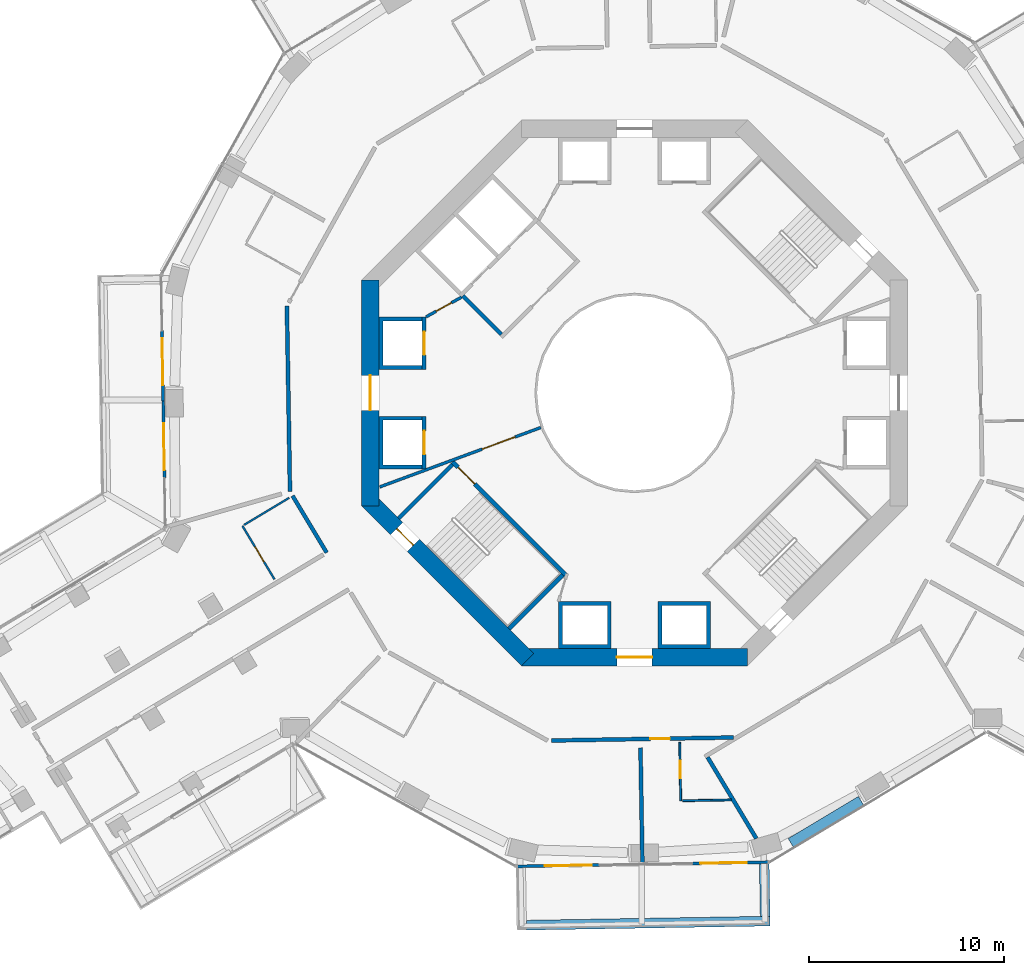
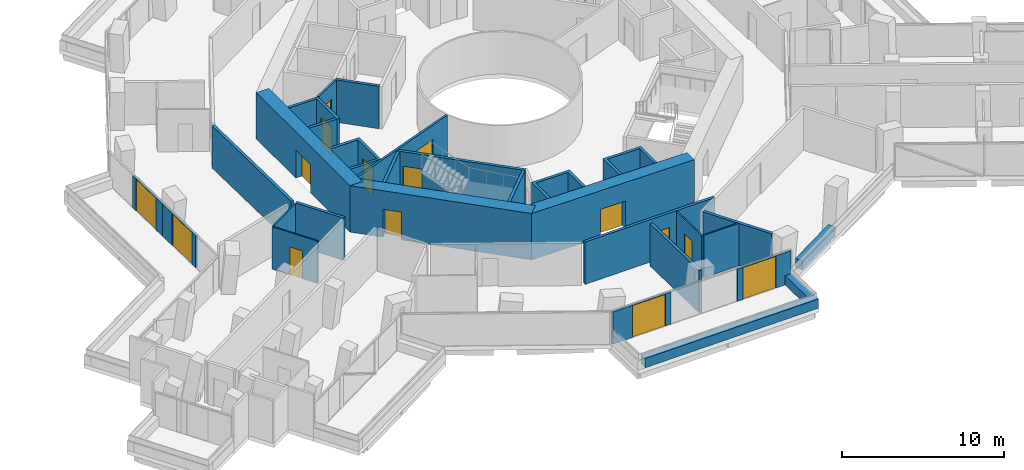
# One storey, part 18 of 25: 31 walls, 15 doors, 15 openings.
"""IFC4 building model written with IfcOpenShell, lengths in metres."""

from ifc_helpers import new_model, si_unit, direction, frame, frame_2d, origin, place, context, subcontext, project, spatial, polyline, rectangle, outline, extrude, material, layer, layer_set, type_object, element, fill, save


model = new_model("IFC4")

# Units and contexts
model_context = context("Model", 3, precision=1e-05, world=origin(), true_north=direction((0.0, 1.0)))
body_context = subcontext(model_context, "Body", "Model", "MODEL_VIEW")
ifc_project = project(units=[si_unit("LENGTHUNIT", "METRE"), si_unit("AREAUNIT", "SQUARE_METRE"), si_unit("VOLUMEUNIT", "CUBIC_METRE"), si_unit("PLANEANGLEUNIT", "RADIAN"), si_unit("MASSUNIT", "GRAM", prefix="KILO")], contexts=[model_context])

# Site, building, storey
site_placement = place(None, origin())
site = spatial("IfcSite", under=ifc_project, at=site_placement, CompositionType="ELEMENT")
building_placement = place(site_placement, origin())
building = spatial("IfcBuilding", under=site, at=building_placement, Name="Verdalira Terraces Hotel", CompositionType="ELEMENT")
storey_placement = place(building_placement, frame((0.0, 0.0, 39.0)))
storey = spatial("IfcBuildingStorey", under=building, at=storey_placement, Name="L07", CompositionType="ELEMENT", Elevation=39.0)

# Walls
ifc_material_1 = material(Name="Concrete C40", Category="concrete")
ifc_layer_1 = layer(ifc_material_1, 0.5)
ifc_layer_set_1 = layer_set([ifc_layer_1], Name="Balcony planter trough with tree")
wall_type_1 = type_object("IfcWallType", Name="Balcony planter trough with tree", PredefinedType="SOLIDWALL", material=ifc_layer_set_1)
wall_1_placement = place(storey_placement, frame((-5.543213, -27.304932, 0.0), z_axis=(0.0, 0.0, 1.0), x_axis=(0.999859901, 0.016738552, 0.0)))
element("IfcWall", 1, at=wall_1_placement, inside=storey, type_object=wall_type_1, Name="Balcony planter", PredefinedType="SOLIDWALL", context=body_context, shape_type="SweptSolid", body=[
    extrude(rectangle(XDim=12.499756, YDim=0.5, at=frame_2d((6.25, 0.0))), origin(), (0.0, 0.0, 1.0), 0.699951),
])
wall_2_placement = place(storey_placement, frame((6.700684, -26.849854, 0.0), z_axis=(0.0, 0.0, 1.0), x_axis=(-0.01673368, 0.999859982, 0.0)))
element("IfcWall", 2, at=wall_2_placement, inside=storey, type_object=wall_type_1, Name="Balcony planter", PredefinedType="SOLIDWALL", context=body_context, shape_type="SweptSolid", body=[
    extrude(rectangle(XDim=2.699219, YDim=0.5, at=frame_2d((1.349609, 0.0))), origin(), (0.0, 0.0, 1.0), 0.699951),
])

# Wall, opening, door
ifc_material_2 = material(Name="Moisture-resistant gypsum board partition")
ifc_layer_2 = layer(ifc_material_2, 0.10009765625)
ifc_layer_set_2 = layer_set([ifc_layer_2], Name="Bathroom partition 100 mm")
wall_type_2 = type_object("IfcWallType", Name="Bathroom partition 100 mm", PredefinedType="PARTITIONING", material=ifc_layer_set_2)
wall_3_placement = place(storey_placement, frame((-20.115723, -6.820068, 0.0), z_axis=(0.0, 0.0, 1.0), x_axis=(0.514439657, -0.857526582, 0.0)))
wall_3 = element("IfcWall", 3, at=wall_3_placement, inside=storey, type_object=wall_type_2, Name="Bathroom partition", PredefinedType="PARTITIONING", context=body_context, shape_type="SweptSolid", body=[
    extrude(rectangle(XDim=3.199951, YDim=0.100098, at=frame_2d((1.600098, 0.0))), origin(), (0.0, 0.0, 1.0), 3.189941),
])
opening_1_placement = place(wall_3_placement, frame((1.25, 0.0, 0.0)))
opening_1 = element("IfcOpeningElement", 4, at=opening_1_placement, cuts=wall_3, Name="Opening L07-113", PredefinedType="OPENING", context=body_context, shape_type="SweptSolid", body=[
    extrude(rectangle(XDim=0.899902, YDim=2.100098, at=frame_2d((0.449951, 1.050049))), frame((0.0, 0.060059, 0.0), z_axis=(0.0, -1.0, 0.0), x_axis=(1.0, 0.0, 0.0)), (0.0, 0.0, 1.0), 0.120117),
])
ifc_material_3 = material(Name="Timber door", Category="wood")
door_type_1 = type_object("IfcDoorType", Name="Bathroom door 900 x 2100", OperationType="NOTDEFINED", PredefinedType="DOOR", material=ifc_material_3)
door_1_placement = place(opening_1_placement, origin())
door_1 = element("IfcDoor", 5, at=door_1_placement, inside=storey, type_object=door_type_1, Name="Bathroom door 0706", OperationType="SINGLE_SWING_LEFT", OverallHeight=2.10009765625, OverallWidth=0.89990234375, PredefinedType="DOOR", context=body_context, shape_type="SweptSolid", body=[
    extrude(rectangle(XDim=0.899902, YDim=2.100098, at=frame_2d((0.449951, 1.050049))), frame((0.0, 0.024902, 0.0), z_axis=(0.0, -1.0, 0.0), x_axis=(1.0, 0.0, 0.0)), (0.0, 0.0, 1.0), 0.050049),
])
fill(opening_1, door_1)

# Wall
wall_4_placement = place(storey_placement, frame((-20.030029, -6.768555, 0.0), z_axis=(0.0, 0.0, 1.0), x_axis=(0.857548769, 0.514402672, 0.0)))
element("IfcWall", 6, at=wall_4_placement, inside=storey, type_object=wall_type_2, Name="Bathroom partition", PredefinedType="PARTITIONING", context=body_context, shape_type="SweptSolid", body=[
    extrude(rectangle(XDim=2.699951, YDim=0.100098, at=frame_2d((1.350098, 0.0))), origin(), (0.0, 0.0, 1.0), 3.189941),
])

# Wall, opening, door
wall_5_placement = place(storey_placement, frame((2.318848, -17.922119, 0.0), z_axis=(0.0, 0.0, 1.0), x_axis=(0.016764696, -0.999859463, 0.0)))
wall_5 = element("IfcWall", 7, at=wall_5_placement, inside=storey, type_object=wall_type_2, Name="Bathroom partition", PredefinedType="PARTITIONING", context=body_context, shape_type="SweptSolid", body=[
    extrude(rectangle(XDim=3.0, YDim=0.100098, at=frame_2d((1.5, 0.0))), origin(), (0.0, 0.0, 1.0), 3.189941),
])
opening_2_placement = place(wall_5_placement, frame((0.949951, 0.0, 0.0)))
opening_2 = element("IfcOpeningElement", 8, at=opening_2_placement, cuts=wall_5, Name="Opening L07-120", PredefinedType="OPENING", context=body_context, shape_type="SweptSolid", body=[
    extrude(rectangle(XDim=0.899902, YDim=2.100098, at=frame_2d((0.449951, 1.050049))), frame((0.0, 0.060059, 0.0), z_axis=(0.0, -1.0, 0.0), x_axis=(1.0, 0.0, 0.0)), (0.0, 0.0, 1.0), 0.120117),
])
door_2_placement = place(opening_2_placement, origin())
door_2 = element("IfcDoor", 9, at=door_2_placement, inside=storey, type_object=door_type_1, Name="Bathroom door 0710", OperationType="SINGLE_SWING_RIGHT", OverallHeight=2.10009765625, OverallWidth=0.89990234375, PredefinedType="DOOR", context=body_context, shape_type="SweptSolid", body=[
    extrude(rectangle(XDim=0.899902, YDim=2.100098, at=frame_2d((0.449951, 1.050049))), frame((0.0, 0.024902, 0.0), z_axis=(0.0, -1.0, 0.0), x_axis=(1.0, 0.0, 0.0)), (0.0, 0.0, 1.0), 0.050049),
])
fill(opening_2, door_2)

# Walls
wall_6_placement = place(storey_placement, frame((4.965088, -20.878174, 0.0), z_axis=(0.0, 0.0, 1.0), x_axis=(-0.999860133, -0.016724649, 0.0)))
element("IfcWall", 10, at=wall_6_placement, inside=storey, type_object=wall_type_2, Name="Bathroom partition", PredefinedType="PARTITIONING", context=body_context, shape_type="SweptSolid", body=[
    extrude(rectangle(XDim=2.496094, YDim=0.100098, at=frame_2d((1.248047, 0.0))), origin(), (0.0, 0.0, 1.0), 3.189941),
])
ifc_material_4 = material(Name="Concrete C50", Category="concrete")
ifc_layer_3 = layer(ifc_material_4, 0.199951171875)
ifc_layer_set_3 = layer_set([ifc_layer_3], Name="Core RC wall 200 C50")
wall_type_3 = type_object("IfcWallType", Name="Core RC wall 200 C50", PredefinedType="SOLIDWALL", material=ifc_layer_set_3)
wall_7_placement = place(storey_placement, origin())
element("IfcWall", 11, at=wall_7_placement, inside=storey, type_object=wall_type_3, Name="L07 shaft wall W1", PredefinedType="SOLIDWALL", context=body_context, shape_type="SweptSolid", body=[
    extrude(outline(polyline([(-13.100098, 3.899902), (-10.899902, 3.899902), (-10.899902, 3.699951), (-12.899902, 3.699951), (-12.899902, 1.399902), (-10.899902, 1.399902), (-10.899902, 1.199951), (-13.100098, 1.199951), (-13.100098, 3.899902)])), origin(), (0.0, 0.0, 1.0), 3.189941),
])

# Wall, opening, door
wall_8_placement = place(storey_placement, frame((-10.800049, 1.199951, 0.0), z_axis=(0.0, 0.0, 1.0), x_axis=(0.0, 1.0, 0.0)))
wall_8 = element("IfcWall", 12, at=wall_8_placement, inside=storey, type_object=wall_type_3, Name="L07 shaft front wall W1", PredefinedType="SOLIDWALL", context=body_context, shape_type="SweptSolid", body=[
    extrude(rectangle(XDim=2.699951, YDim=0.199951, at=frame_2d((1.350098, 0.0))), origin(), (0.0, 0.0, 1.0), 3.189941),
])
opening_3_placement = place(wall_8_placement, frame((0.75, 0.0, 0.0)))
opening_3 = element("IfcOpeningElement", 13, at=opening_3_placement, cuts=wall_8, Name="Opening LD-L07-805", PredefinedType="OPENING", context=body_context, shape_type="SweptSolid", body=[
    extrude(rectangle(XDim=1.199951, YDim=2.100098, at=frame_2d((0.600098, 1.050049))), frame((0.0, 0.109863, 0.0), z_axis=(0.0, -1.0, 0.0), x_axis=(1.0, 0.0, 0.0)), (0.0, 0.0, 1.0), 0.219971),
])
ifc_material_5 = material(Name="Stainless steel", Category="steel")
door_type_2 = type_object("IfcDoorType", Name="Landing door 1200 x 2100", OperationType="NOTDEFINED", PredefinedType="DOOR", material=ifc_material_5)
door_3_placement = place(opening_3_placement, origin())
door_3 = element("IfcDoor", 14, at=door_3_placement, inside=storey, type_object=door_type_2, Name="Lift landing door LR5 L07", OperationType="DOUBLE_DOOR_SLIDING", OverallHeight=2.10009765625, OverallWidth=1.199951171875, PredefinedType="DOOR", context=body_context, shape_type="SweptSolid", body=[
    extrude(rectangle(XDim=1.199951, YDim=2.100098, at=frame_2d((0.600098, 1.050049))), frame((0.0, 0.024902, 0.0), z_axis=(0.0, -1.0, 0.0), x_axis=(1.0, 0.0, 0.0)), (0.0, 0.0, 1.0), 0.050049),
])
fill(opening_3, door_3)

# Wall
wall_9_placement = place(storey_placement, origin())
element("IfcWall", 15, at=wall_9_placement, inside=storey, type_object=wall_type_3, Name="L07 shaft wall W2", PredefinedType="SOLIDWALL", context=body_context, shape_type="SweptSolid", body=[
    extrude(outline(polyline([(-13.100098, -3.899902), (-13.100098, -1.199951), (-10.899902, -1.199951), (-10.899902, -1.399902), (-12.899902, -1.399902), (-12.899902, -3.699951), (-10.899902, -3.699951), (-10.899902, -3.899902), (-13.100098, -3.899902)])), origin(), (0.0, 0.0, 1.0), 3.189941),
])

# Wall, opening, door
wall_10_placement = place(storey_placement, frame((-10.800049, -1.199951, 0.0), z_axis=(0.0, 0.0, 1.0), x_axis=(0.0, -1.0, 0.0)))
wall_10 = element("IfcWall", 16, at=wall_10_placement, inside=storey, type_object=wall_type_3, Name="L07 shaft front wall W2", PredefinedType="SOLIDWALL", context=body_context, shape_type="SweptSolid", body=[
    extrude(rectangle(XDim=2.699951, YDim=0.199951, at=frame_2d((1.350098, 0.0))), origin(), (0.0, 0.0, 1.0), 3.189941),
])
opening_4_placement = place(wall_10_placement, frame((0.75, 0.0, 0.0)))
opening_4 = element("IfcOpeningElement", 17, at=opening_4_placement, cuts=wall_10, Name="Opening LD-L07-806", PredefinedType="OPENING", context=body_context, shape_type="SweptSolid", body=[
    extrude(rectangle(XDim=1.199951, YDim=2.100098, at=frame_2d((0.600098, 1.050049))), frame((0.0, 0.109863, 0.0), z_axis=(0.0, -1.0, 0.0), x_axis=(1.0, 0.0, 0.0)), (0.0, 0.0, 1.0), 0.219971),
])
door_4_placement = place(opening_4_placement, origin())
door_4 = element("IfcDoor", 18, at=door_4_placement, inside=storey, type_object=door_type_2, Name="Lift landing door LR6 L07", OperationType="DOUBLE_DOOR_SLIDING", OverallHeight=2.10009765625, OverallWidth=1.199951171875, PredefinedType="DOOR", context=body_context, shape_type="SweptSolid", body=[
    extrude(rectangle(XDim=1.199951, YDim=2.100098, at=frame_2d((0.600098, 1.050049))), frame((0.0, 0.024902, 0.0), z_axis=(0.0, -1.0, 0.0), x_axis=(1.0, 0.0, 0.0)), (0.0, 0.0, 1.0), 0.050049),
])
fill(opening_4, door_4)

# Walls
wall_11_placement = place(storey_placement, origin())
element("IfcWall", 19, at=wall_11_placement, inside=storey, type_object=wall_type_3, Name="L07 shaft wall S1", PredefinedType="SOLIDWALL", context=body_context, shape_type="SweptSolid", body=[
    extrude(outline(polyline([(-1.199951, -13.100098), (-3.899902, -13.100098), (-3.899902, -10.699951), (-1.199951, -10.699951), (-1.199951, -13.100098)]), holes=[polyline([(-3.699951, -10.899902), (-3.699951, -12.899902), (-1.399902, -12.899902), (-1.399902, -10.899902), (-3.699951, -10.899902)])]), origin(), (0.0, 0.0, 1.0), 3.189941),
])
wall_12_placement = place(storey_placement, origin())
element("IfcWall", 20, at=wall_12_placement, inside=storey, type_object=wall_type_3, Name="L07 shaft wall S2", PredefinedType="SOLIDWALL", context=body_context, shape_type="SweptSolid", body=[
    extrude(outline(polyline([(3.899902, -10.699951), (3.899902, -13.100098), (1.199951, -13.100098), (1.199951, -10.699951), (3.899902, -10.699951)]), holes=[polyline([(1.399902, -12.899902), (3.699951, -12.899902), (3.699951, -10.899902), (1.399902, -10.899902), (1.399902, -12.899902)])]), origin(), (0.0, 0.0, 1.0), 3.189941),
])

# Wall, opening, door
wall_13_placement = place(storey_placement, frame((-3.5354, -9.33374, 0.0), z_axis=(0.0, 0.0, 1.0), x_axis=(-0.707106781, 0.707106781, 0.0)))
wall_13 = element("IfcWall", 21, at=wall_13_placement, inside=storey, type_object=wall_type_3, Name="L07 stair ST2 front wall", PredefinedType="SOLIDWALL", context=body_context, shape_type="SweptSolid", body=[
    extrude(rectangle(XDim=8.200195, YDim=0.199951, at=frame_2d((4.100098, 0.0))), origin(), (0.0, 0.0, 1.0), 3.189941),
])
opening_5_placement = place(wall_13_placement, frame((6.600098, 0.0, 0.0)))
opening_5 = element("IfcOpeningElement", 22, at=opening_5_placement, cuts=wall_13, Name="Opening L07-810", PredefinedType="OPENING", context=body_context, shape_type="SweptSolid", body=[
    extrude(rectangle(XDim=1.199951, YDim=2.100098, at=frame_2d((0.600098, 1.050049))), frame((0.0, 0.109863, 0.0), z_axis=(0.0, -1.0, 0.0), x_axis=(1.0, 0.0, 0.0)), (0.0, 0.0, 1.0), 0.219971),
])
ifc_material_6 = material(Name="Steel fire door", Category="steel")
door_type_3 = type_object("IfcDoorType", Name="Stair door 1200 x 2100", OperationType="NOTDEFINED", PredefinedType="DOOR", material=ifc_material_6)
door_5_placement = place(opening_5_placement, origin())
door_5 = element("IfcDoor", 23, at=door_5_placement, inside=storey, type_object=door_type_3, Name="Stair door ST2 L07", OperationType="SINGLE_SWING_RIGHT", OverallHeight=2.10009765625, OverallWidth=1.199951171875, PredefinedType="DOOR", context=body_context, shape_type="SweptSolid", body=[
    extrude(rectangle(XDim=1.199951, YDim=2.100098, at=frame_2d((0.600098, 1.050049))), frame((0.0, 0.024902, 0.0), z_axis=(0.0, -1.0, 0.0), x_axis=(1.0, 0.0, 0.0)), (0.0, 0.0, 1.0), 0.050049),
])
fill(opening_5, door_5)

# Walls
for number, where, z_axis, x_axis, name in (
    (24, (-9.33374, -3.677002, 0.0), (0.0, 0.0, 1.0), (-0.707106781, -0.707106781, 0.0), "L07 stair ST2 end wall 1"),
    (25, (-3.677002, -9.33374, 0.0), (0.0, 0.0, 1.0), (-0.707106781, -0.707106781, 0.0), "L07 stair ST2 end wall 2"),
):
    element("IfcWall", number, at=place(storey_placement, frame(where, z_axis=z_axis, x_axis=x_axis)), inside=storey, type_object=wall_type_3, Name=name, PredefinedType="SOLIDWALL", context=body_context, shape_type="SweptSolid", body=[
        extrude(rectangle(XDim=3.900146, YDim=0.199951, at=frame_2d((1.950195, 0.0))), origin(), (0.0, 0.0, 1.0), 3.189941),
    ])
wall_14_placement = place(storey_placement, frame((-6.823486, 3.005127, 0.0), z_axis=(0.0, 0.0, 1.0), x_axis=(-0.707106781, 0.707106781, 0.0)))
element("IfcWall", 26, at=wall_14_placement, inside=storey, type_object=wall_type_3, Name="L07 fire lobby wall", PredefinedType="SOLIDWALL", context=body_context, shape_type="SweptSolid", body=[
    extrude(rectangle(XDim=2.800049, YDim=0.199951, at=frame_2d((1.399902, 0.0))), origin(), (0.0, 0.0, 1.0), 3.189941),
])

# Wall, opening, door
ifc_material_7 = material(Name="Gypsum board partition")
ifc_layer_4 = layer(ifc_material_7, 0.14990234375)
ifc_layer_set_4 = layer_set([ifc_layer_4], Name="Core partition 150 mm")
wall_type_4 = type_object("IfcWallType", Name="Core partition 150 mm", PredefinedType="PARTITIONING", material=ifc_layer_set_4)
wall_15_placement = place(storey_placement, frame((-8.874268, 4.914307, 0.0), z_axis=(0.0, 0.0, 1.0), x_axis=(-0.874129705, -0.485692555, 0.0)))
wall_15 = element("IfcWall", 27, at=wall_15_placement, inside=storey, type_object=wall_type_4, Name="Room partition L07", PredefinedType="PARTITIONING", context=body_context, shape_type="SweptSolid", body=[
    extrude(rectangle(XDim=2.088623, YDim=0.149902, at=frame_2d((1.044434, 0.0))), origin(), (0.0, 0.0, 1.0), 3.189941),
])
opening_6_placement = place(wall_15_placement, frame((0.594238, 0.0, 0.0)))
opening_6 = element("IfcOpeningElement", 28, at=opening_6_placement, cuts=wall_15, Name="Opening L07-821", PredefinedType="OPENING", context=body_context, shape_type="SweptSolid", body=[
    extrude(rectangle(XDim=0.899902, YDim=2.100098, at=frame_2d((0.449951, 1.050049))), frame((0.0, 0.084961, 0.0), z_axis=(0.0, -1.0, 0.0), x_axis=(1.0, 0.0, 0.0)), (0.0, 0.0, 1.0), 0.169922),
])
ifc_material_8 = material(Name="Steel fire door", Category="steel")
door_type_4 = type_object("IfcDoorType", Name="Core room door 900 x 2100", OperationType="NOTDEFINED", PredefinedType="DOOR", material=ifc_material_8)
door_6_placement = place(opening_6_placement, origin())
door_6 = element("IfcDoor", 29, at=door_6_placement, inside=storey, type_object=door_type_4, Name="Door L07 room3", OperationType="SINGLE_SWING_LEFT", OverallHeight=2.10009765625, OverallWidth=0.89990234375, PredefinedType="DOOR", context=body_context, shape_type="SweptSolid", body=[
    extrude(rectangle(XDim=0.899902, YDim=2.100098, at=frame_2d((0.449951, 1.050049))), frame((0.0, 0.024902, 0.0), z_axis=(0.0, -1.0, 0.0), x_axis=(1.0, 0.0, 0.0)), (0.0, 0.0, 1.0), 0.050049),
])
fill(opening_6, door_6)

wall_16_placement = place(storey_placement, frame((-4.812988, -1.775635, 0.0), z_axis=(0.0, 0.0, 1.0), x_axis=(-0.93819293, -0.346112737, 0.0)))
wall_16 = element("IfcWall", 30, at=wall_16_placement, inside=storey, type_object=wall_type_4, Name="Gallery fire partition L07", PredefinedType="PARTITIONING", context=body_context, shape_type="SweptSolid", body=[
    extrude(rectangle(XDim=8.803223, YDim=0.149902, at=frame_2d((4.401611, 0.0))), origin(), (0.0, 0.0, 1.0), 3.189941),
])
opening_7_placement = place(wall_16_placement, frame((1.399902, 0.0, 0.0)))
opening_7 = element("IfcOpeningElement", 31, at=opening_7_placement, cuts=wall_16, Name="Opening L07-825", PredefinedType="OPENING", context=body_context, shape_type="SweptSolid", body=[
    extrude(rectangle(XDim=1.800049, YDim=2.100098, at=frame_2d((0.899902, 1.050049))), frame((0.0, 0.084961, 0.0), z_axis=(0.0, -1.0, 0.0), x_axis=(1.0, 0.0, 0.0)), (0.0, 0.0, 1.0), 0.169922),
])
ifc_material_9 = material(Name="Steel fire door", Category="steel")
door_type_5 = type_object("IfcDoorType", Name="Gallery fire door pair 1800 x 2100", OperationType="NOTDEFINED", PredefinedType="DOOR", material=ifc_material_9)
door_7_placement = place(opening_7_placement, origin())
door_7 = element("IfcDoor", 32, at=door_7_placement, inside=storey, type_object=door_type_5, Name="Door L07 split4", OperationType="DOUBLE_DOOR_SINGLE_SWING", OverallHeight=2.10009765625, OverallWidth=1.800048828125, PredefinedType="DOOR", context=body_context, shape_type="SweptSolid", body=[
    extrude(rectangle(XDim=1.800049, YDim=2.100098, at=frame_2d((0.899902, 1.050049))), frame((0.0, 0.024902, 0.0), z_axis=(0.0, -1.0, 0.0), x_axis=(1.0, 0.0, 0.0)), (0.0, 0.0, 1.0), 0.050049),
])
fill(opening_7, door_7)

ifc_material_10 = material(Name="Concrete C70", Category="concrete")
ifc_layer_5 = layer(ifc_material_10, 0.89990234375)
ifc_layer_set_5 = layer_set([ifc_layer_5], Name="Core wall 900 C70")
wall_type_5 = type_object("IfcWallType", Name="Core wall 900 C70", PredefinedType="SHEAR", material=ifc_layer_set_5)
wall_17_placement = place(storey_placement, frame((-13.550049, 5.799072, 0.0), z_axis=(0.0, 0.0, 1.0), x_axis=(0.0, -1.0, 0.0)))
wall_17 = element("IfcWall", 33, at=wall_17_placement, inside=storey, type_object=wall_type_5, Name="Core wall CW-L07-5", PredefinedType="SHEAR", context=body_context, shape_type="SweptSolid", body=[
    extrude(rectangle(XDim=11.598145, YDim=0.899902, at=frame_2d((5.799072, 0.0))), origin(), (0.0, 0.0, 1.0), 3.5),
])
opening_8_placement = place(wall_17_placement, frame((4.898926, 0.0, 0.0)))
opening_8 = element("IfcOpeningElement", 34, at=opening_8_placement, cuts=wall_17, Name="Opening L07-814", PredefinedType="OPENING", context=body_context, shape_type="SweptSolid", body=[
    extrude(rectangle(XDim=1.800049, YDim=2.100098, at=frame_2d((0.899902, 1.050049))), frame((0.0, 0.459961, 0.0), z_axis=(0.0, -1.0, 0.0), x_axis=(1.0, 0.0, 0.0)), (0.0, 0.0, 1.0), 0.919922),
])
ifc_material_11 = material(Name="Steel fire door", Category="steel")
door_type_6 = type_object("IfcDoorType", Name="Core entry door pair 1800 x 2100", OperationType="NOTDEFINED", PredefinedType="DOOR", material=ifc_material_11)
door_8_placement = place(opening_8_placement, origin())
door_8 = element("IfcDoor", 35, at=door_8_placement, inside=storey, type_object=door_type_6, Name="Core entry door L07 4", OperationType="DOUBLE_DOOR_SINGLE_SWING", OverallHeight=2.10009765625, OverallWidth=1.800048828125, PredefinedType="DOOR", context=body_context, shape_type="SweptSolid", body=[
    extrude(rectangle(XDim=1.800049, YDim=2.100098, at=frame_2d((0.899902, 1.050049))), frame((0.0, 0.024902, 0.0), z_axis=(0.0, -1.0, 0.0), x_axis=(1.0, 0.0, 0.0)), (0.0, 0.0, 1.0), 0.050049),
])
fill(opening_8, door_8)

wall_18_placement = place(storey_placement, frame((-13.681885, -5.480713, 0.0), z_axis=(0.0, 0.0, 1.0), x_axis=(0.707106781, -0.707106781, 0.0)))
wall_18 = element("IfcWall", 36, at=wall_18_placement, inside=storey, type_object=wall_type_5, Name="Core wall CW-L07-6", PredefinedType="SHEAR", context=body_context, shape_type="SweptSolid", body=[
    extrude(rectangle(XDim=11.598145, YDim=0.899902, at=frame_2d((5.799072, 0.0))), origin(), (0.0, 0.0, 1.0), 3.5),
])
opening_9_placement = place(wall_18_placement, frame((2.099121, 0.0, 0.0)))
opening_9 = element("IfcOpeningElement", 37, at=opening_9_placement, cuts=wall_18, Name="Opening L07-817", PredefinedType="OPENING", context=body_context, shape_type="SweptSolid", body=[
    extrude(rectangle(XDim=1.199951, YDim=2.100098, at=frame_2d((0.600098, 1.050049))), frame((0.0, 0.459961, 0.0), z_axis=(0.0, -1.0, 0.0), x_axis=(1.0, 0.0, 0.0)), (0.0, 0.0, 1.0), 0.919922),
])
door_9_placement = place(opening_9_placement, origin())
door_9 = element("IfcDoor", 38, at=door_9_placement, inside=storey, type_object=door_type_3, Name="Stair exit door ST2 L07", OperationType="SINGLE_SWING_LEFT", OverallHeight=2.10009765625, OverallWidth=1.199951171875, PredefinedType="DOOR", context=body_context, shape_type="SweptSolid", body=[
    extrude(rectangle(XDim=1.199951, YDim=2.100098, at=frame_2d((0.600098, 1.050049))), frame((0.0, 0.024902, 0.0), z_axis=(0.0, -1.0, 0.0), x_axis=(1.0, 0.0, 0.0)), (0.0, 0.0, 1.0), 0.050049),
])
fill(opening_9, door_9)

wall_19_placement = place(storey_placement, frame((-5.799072, -13.550049, 0.0), z_axis=(0.0, 0.0, 1.0), x_axis=(1.0, 0.0, 0.0)))
wall_19 = element("IfcWall", 39, at=wall_19_placement, inside=storey, type_object=wall_type_5, Name="Core wall CW-L07-7", PredefinedType="SHEAR", context=body_context, shape_type="SweptSolid", body=[
    extrude(rectangle(XDim=11.598145, YDim=0.899902, at=frame_2d((5.799072, 0.0))), origin(), (0.0, 0.0, 1.0), 3.5),
])
opening_10_placement = place(wall_19_placement, frame((4.898926, 0.0, 0.0)))
opening_10 = element("IfcOpeningElement", 40, at=opening_10_placement, cuts=wall_19, Name="Opening L07-815", PredefinedType="OPENING", context=body_context, shape_type="SweptSolid", body=[
    extrude(rectangle(XDim=1.800049, YDim=2.100098, at=frame_2d((0.899902, 1.050049))), frame((0.0, 0.459961, 0.0), z_axis=(0.0, -1.0, 0.0), x_axis=(1.0, 0.0, 0.0)), (0.0, 0.0, 1.0), 0.919922),
])
door_10_placement = place(opening_10_placement, origin())
door_10 = element("IfcDoor", 41, at=door_10_placement, inside=storey, type_object=door_type_6, Name="Core entry door L07 6", OperationType="DOUBLE_DOOR_SINGLE_SWING", OverallHeight=2.10009765625, OverallWidth=1.800048828125, PredefinedType="DOOR", context=body_context, shape_type="SweptSolid", body=[
    extrude(rectangle(XDim=1.800049, YDim=2.100098, at=frame_2d((0.899902, 1.050049))), frame((0.0, 0.024902, 0.0), z_axis=(0.0, -1.0, 0.0), x_axis=(1.0, 0.0, 0.0)), (0.0, 0.0, 1.0), 0.050049),
])
fill(opening_10, door_10)

# Walls
ifc_material_12 = material(Name="Fire-rated gypsum board wall")
ifc_layer_6 = layer(ifc_material_12, 0.199951171875)
ifc_layer_set_6 = layer_set([ifc_layer_6], Name="Demising wall 200 mm")
wall_type_6 = type_object("IfcWallType", Name="Demising wall 200 mm", PredefinedType="SOLIDWALL", material=ifc_layer_set_6)
wall_20_placement = place(storey_placement, frame((0.304932, -18.202881, 0.0), z_axis=(0.0, 0.0, 1.0), x_axis=(0.016750493, -0.999859701, 0.0)))
element("IfcWall", 42, at=wall_20_placement, inside=storey, type_object=wall_type_6, Name="Demising wall", PredefinedType="SOLIDWALL", context=body_context, shape_type="SweptSolid", body=[
    extrude(rectangle(XDim=5.902832, YDim=0.199951, at=frame_2d((2.951416, 0.0))), origin(), (0.0, 0.0, 1.0), 3.189941),
])
ifc_material_13 = material(Name="Fire-rated gypsum board wall")
ifc_layer_7 = layer(ifc_material_13, 0.199951171875)
ifc_layer_set_7 = layer_set([ifc_layer_7], Name="Guest corridor wall 200 mm")
wall_type_7 = type_object("IfcWallType", Name="Guest corridor wall 200 mm", PredefinedType="SOLIDWALL", material=ifc_layer_set_7)
wall_21_placement = place(storey_placement, frame((-17.835693, 4.459717, 0.0), z_axis=(0.0, 0.0, 1.0), x_axis=(0.016778486, -0.999859231, 0.0)))
element("IfcWall", 43, at=wall_21_placement, inside=storey, type_object=wall_type_7, Name="Guest corridor wall", PredefinedType="SOLIDWALL", context=body_context, shape_type="SweptSolid", body=[
    extrude(rectangle(XDim=9.516113, YDim=0.199951, at=frame_2d((4.758057, 0.0))), origin(), (0.0, 0.0, 1.0), 3.189941),
])
wall_22_placement = place(storey_placement, frame((-17.543213, -5.276611, 0.0), z_axis=(0.0, 0.0, 1.0), x_axis=(0.514400718, -0.857549941, 0.0)))
element("IfcWall", 44, at=wall_22_placement, inside=storey, type_object=wall_type_7, Name="Guest corridor wall", PredefinedType="SOLIDWALL", context=body_context, shape_type="SweptSolid", body=[
    extrude(rectangle(XDim=3.400146, YDim=0.199951, at=frame_2d((1.700195, 0.0))), origin(), (0.0, 0.0, 1.0), 3.189941),
])

# Wall, opening, door
wall_23_placement = place(storey_placement, frame((5.075195, -17.675781, 0.0), z_axis=(0.0, 0.0, 1.0), x_axis=(-0.999859501, -0.016762389, 0.0)))
wall_23 = element("IfcWall", 45, at=wall_23_placement, inside=storey, type_object=wall_type_7, Name="Guest corridor wall", PredefinedType="SOLIDWALL", context=body_context, shape_type="SweptSolid", body=[
    extrude(rectangle(XDim=9.335938, YDim=0.199951, at=frame_2d((4.667969, 0.0))), origin(), (0.0, 0.0, 1.0), 3.189941),
])
opening_11_placement = place(wall_23_placement, frame((3.26001, 0.0, 0.0)))
opening_11 = element("IfcOpeningElement", 46, at=opening_11_placement, cuts=wall_23, Name="Opening L07-119", PredefinedType="OPENING", context=body_context, shape_type="SweptSolid", body=[
    extrude(rectangle(XDim=1.0, YDim=2.100098, at=frame_2d((0.5, 1.050049))), frame((0.0, 0.109863, 0.0), z_axis=(0.0, -1.0, 0.0), x_axis=(1.0, 0.0, 0.0)), (0.0, 0.0, 1.0), 0.219971),
])
ifc_material_14 = material(Name="Timber fire door", Category="wood")
door_type_7 = type_object("IfcDoorType", Name="Guest entry door 1000 x 2100", OperationType="NOTDEFINED", PredefinedType="DOOR", material=ifc_material_14)
door_11_placement = place(opening_11_placement, origin())
door_11 = element("IfcDoor", 47, at=door_11_placement, inside=storey, type_object=door_type_7, Name="Guest entry door 0710", OperationType="SINGLE_SWING_RIGHT", OverallHeight=2.10009765625, OverallWidth=1.0, PredefinedType="DOOR", context=body_context, shape_type="SweptSolid", body=[
    extrude(rectangle(XDim=1.0, YDim=2.100098, at=frame_2d((0.5, 1.050049))), frame((0.0, 0.024902, 0.0), z_axis=(0.0, -1.0, 0.0), x_axis=(1.0, 0.0, 0.0)), (0.0, 0.0, 1.0), 0.050049),
])
fill(opening_11, door_11)

# Walls
ifc_material_15 = material(Name="Terracotta cladding", Category="masonry")
ifc_layer_8 = layer(ifc_material_15, 0.199951171875)
ifc_layer_set_8 = layer_set([ifc_layer_8], Name="Loggia back wall 200")
wall_type_8 = type_object("IfcWallType", Name="Loggia back wall 200", PredefinedType="SOLIDWALL", material=ifc_layer_set_8)
wall_24_placement = place(storey_placement, frame((6.250977, -22.860596, 0.0), z_axis=(0.0, 0.0, 1.0), x_axis=(-0.514444053, 0.857523945, 0.0)))
element("IfcWall", 48, at=wall_24_placement, inside=storey, type_object=wall_type_8, Name="Loggia side wall", PredefinedType="SOLIDWALL", context=body_context, shape_type="SweptSolid", body=[
    extrude(rectangle(XDim=4.861084, YDim=0.199951, at=frame_2d((2.430664, 0.0))), origin(), (0.0, 0.0, 1.0), 3.189941),
])
ifc_material_16 = material(Name="Concrete C40", Category="concrete")
ifc_layer_9 = layer(ifc_material_16, 0.5)
ifc_layer_set_9 = layer_set([ifc_layer_9], Name="Loggia planter trough with tree")
wall_type_9 = type_object("IfcWallType", Name="Loggia planter trough with tree", PredefinedType="SOLIDWALL", material=ifc_layer_set_9)
wall_25_placement = place(storey_placement, frame((8.010742, -23.074707, 0.0), z_axis=(0.0, 0.0, 1.0), x_axis=(0.857533945, 0.514427384, 0.0)))
element("IfcWall", 49, at=wall_25_placement, inside=storey, type_object=wall_type_9, Name="Loggia planter", PredefinedType="SOLIDWALL", context=body_context, shape_type="SweptSolid", body=[
    extrude(rectangle(XDim=4.200928, YDim=0.5, at=frame_2d((2.100586, 0.0))), origin(), (0.0, 0.0, 1.0), 0.699951),
])

# Wall, opening, door
ifc_material_17 = material(Name="Terracotta cladding", Category="masonry")
ifc_layer_10 = layer(ifc_material_17, 0.14990234375)
ifc_layer_set_10 = layer_set([ifc_layer_10], Name="Terracotta door pier 150")
wall_type_10 = type_object("IfcWallType", Name="Terracotta door pier 150", PredefinedType="SOLIDWALL", material=ifc_layer_set_10)
wall_26_placement = place(storey_placement, frame((-24.240234, 3.194336, 0.0), z_axis=(0.0, 0.0, 1.0), x_axis=(0.016750227, -0.999859705, 0.0)))
wall_26 = element("IfcWall", 50, at=wall_26_placement, inside=storey, type_object=wall_type_10, Name="Terracotta door pier", PredefinedType="SOLIDWALL", context=body_context, shape_type="SweptSolid", body=[
    extrude(rectangle(XDim=3.600098, YDim=0.149902, at=frame_2d((1.800049, 0.0))), origin(), (0.0, 0.0, 1.0), 2.425049),
])
opening_12_placement = place(wall_26_placement, frame((0.399902, 0.0, 0.0)))
opening_12 = element("IfcOpeningElement", 51, at=opening_12_placement, cuts=wall_26, Name="Opening L07-B09", PredefinedType="OPENING", context=body_context, shape_type="SweptSolid", body=[
    extrude(rectangle(XDim=2.399902, YDim=2.399902, at=frame_2d((1.199951, 1.199951))), frame((0.0, 0.084961, 0.0), z_axis=(0.0, -1.0, 0.0), x_axis=(1.0, 0.0, 0.0)), (0.0, 0.0, 1.0), 0.169922),
])
ifc_material_18 = material(Name="Clear glass", Category="glass")
door_type_8 = type_object("IfcDoorType", Name="Balcony sliding door 2400x2400", OperationType="NOTDEFINED", PredefinedType="DOOR", material=ifc_material_18)
door_12_placement = place(opening_12_placement, origin())
door_12 = element("IfcDoor", 52, at=door_12_placement, inside=storey, type_object=door_type_8, Name="Balcony sliding door", OperationType="SLIDING_TO_RIGHT", OverallHeight=2.39990234375, OverallWidth=2.39990234375, PredefinedType="DOOR", context=body_context, shape_type="SweptSolid", body=[
    extrude(rectangle(XDim=2.399902, YDim=2.399902, at=frame_2d((1.199951, 1.199951))), frame((0.0, 0.024902, 0.0), z_axis=(0.0, -1.0, 0.0), x_axis=(1.0, 0.0, 0.0)), (0.0, 0.0, 1.0), 0.050049),
])
fill(opening_12, door_12)

wall_27_placement = place(storey_placement, frame((-24.179932, -0.405273, 0.0), z_axis=(0.0, 0.0, 1.0), x_axis=(0.016767063, -0.999859423, 0.0)))
wall_27 = element("IfcWall", 53, at=wall_27_placement, inside=storey, type_object=wall_type_10, Name="Terracotta door pier", PredefinedType="SOLIDWALL", context=body_context, shape_type="SweptSolid", body=[
    extrude(rectangle(XDim=3.960449, YDim=0.149902, at=frame_2d((1.980225, 0.0))), origin(), (0.0, 0.0, 1.0), 2.425049),
])
opening_13_placement = place(wall_27_placement, frame((1.1604, 0.0, 0.0)))
opening_13 = element("IfcOpeningElement", 54, at=opening_13_placement, cuts=wall_27, Name="Opening L07-B10", PredefinedType="OPENING", context=body_context, shape_type="SweptSolid", body=[
    extrude(rectangle(XDim=2.399902, YDim=2.399902, at=frame_2d((1.199951, 1.199951))), frame((0.0, 0.084961, 0.0), z_axis=(0.0, -1.0, 0.0), x_axis=(1.0, 0.0, 0.0)), (0.0, 0.0, 1.0), 0.169922),
])
door_13_placement = place(opening_13_placement, origin())
door_13 = element("IfcDoor", 55, at=door_13_placement, inside=storey, type_object=door_type_8, Name="Balcony sliding door", OperationType="SLIDING_TO_LEFT", OverallHeight=2.39990234375, OverallWidth=2.39990234375, PredefinedType="DOOR", context=body_context, shape_type="SweptSolid", body=[
    extrude(rectangle(XDim=2.399902, YDim=2.399902, at=frame_2d((1.199951, 1.199951))), frame((0.0, 0.024902, 0.0), z_axis=(0.0, -1.0, 0.0), x_axis=(1.0, 0.0, 0.0)), (0.0, 0.0, 1.0), 0.050049),
])
fill(opening_13, door_13)

wall_28_placement = place(storey_placement, frame((-5.993652, -24.287109, 0.0), z_axis=(0.0, 0.0, 1.0), x_axis=(0.999859764, 0.016746706, 0.0)))
wall_28 = element("IfcWall", 56, at=wall_28_placement, inside=storey, type_object=wall_type_10, Name="Terracotta door pier", PredefinedType="SOLIDWALL", context=body_context, shape_type="SweptSolid", body=[
    extrude(rectangle(XDim=4.198486, YDim=0.149902, at=frame_2d((2.099121, 0.0))), origin(), (0.0, 0.0, 1.0), 2.425049),
])
opening_14_placement = place(wall_28_placement, frame((1.398682, 0.0, 0.0)))
opening_14 = element("IfcOpeningElement", 57, at=opening_14_placement, cuts=wall_28, Name="Opening L07-B16", PredefinedType="OPENING", context=body_context, shape_type="SweptSolid", body=[
    extrude(rectangle(XDim=2.399902, YDim=2.399902, at=frame_2d((1.199951, 1.199951))), frame((0.0, 0.084961, 0.0), z_axis=(0.0, -1.0, 0.0), x_axis=(1.0, 0.0, 0.0)), (0.0, 0.0, 1.0), 0.169922),
])
door_14_placement = place(opening_14_placement, origin())
door_14 = element("IfcDoor", 58, at=door_14_placement, inside=storey, type_object=door_type_8, Name="Balcony sliding door", OperationType="SLIDING_TO_LEFT", OverallHeight=2.39990234375, OverallWidth=2.39990234375, PredefinedType="DOOR", context=body_context, shape_type="SweptSolid", body=[
    extrude(rectangle(XDim=2.399902, YDim=2.399902, at=frame_2d((1.199951, 1.199951))), frame((0.0, 0.024902, 0.0), z_axis=(0.0, -1.0, 0.0), x_axis=(1.0, 0.0, 0.0)), (0.0, 0.0, 1.0), 0.050049),
])
fill(opening_14, door_14)

wall_29_placement = place(storey_placement, frame((2.962891, -24.136963, 0.0), z_axis=(0.0, 0.0, 1.0), x_axis=(0.999860055, 0.016729323, 0.0)))
wall_29 = element("IfcWall", 59, at=wall_29_placement, inside=storey, type_object=wall_type_10, Name="Terracotta door pier", PredefinedType="SOLIDWALL", context=body_context, shape_type="SweptSolid", body=[
    extrude(rectangle(XDim=3.881836, YDim=0.149902, at=frame_2d((1.940918, 0.0))), origin(), (0.0, 0.0, 1.0), 2.425049),
])
opening_15_placement = place(wall_29_placement, frame((0.399902, 0.0, 0.0)))
opening_15 = element("IfcOpeningElement", 60, at=opening_15_placement, cuts=wall_29, Name="Opening L07-B17", PredefinedType="OPENING", context=body_context, shape_type="SweptSolid", body=[
    extrude(rectangle(XDim=2.399902, YDim=2.399902, at=frame_2d((1.199951, 1.199951))), frame((0.0, 0.084961, 0.0), z_axis=(0.0, -1.0, 0.0), x_axis=(1.0, 0.0, 0.0)), (0.0, 0.0, 1.0), 0.169922),
])
door_15_placement = place(opening_15_placement, origin())
door_15 = element("IfcDoor", 61, at=door_15_placement, inside=storey, type_object=door_type_8, Name="Balcony sliding door", OperationType="SLIDING_TO_RIGHT", OverallHeight=2.39990234375, OverallWidth=2.39990234375, PredefinedType="DOOR", context=body_context, shape_type="SweptSolid", body=[
    extrude(rectangle(XDim=2.399902, YDim=2.399902, at=frame_2d((1.199951, 1.199951))), frame((0.0, 0.024902, 0.0), z_axis=(0.0, -1.0, 0.0), x_axis=(1.0, 0.0, 0.0)), (0.0, 0.0, 1.0), 0.050049),
])
fill(opening_15, door_15)

save(model, "model.ifc")
